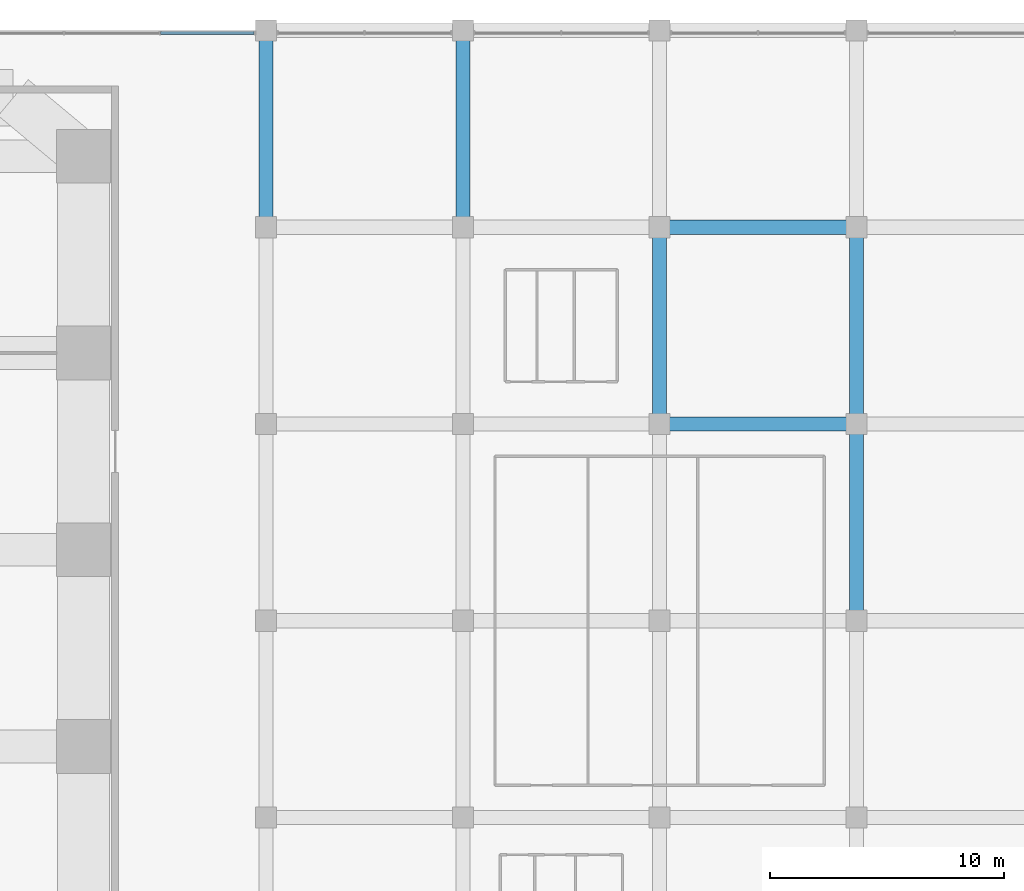
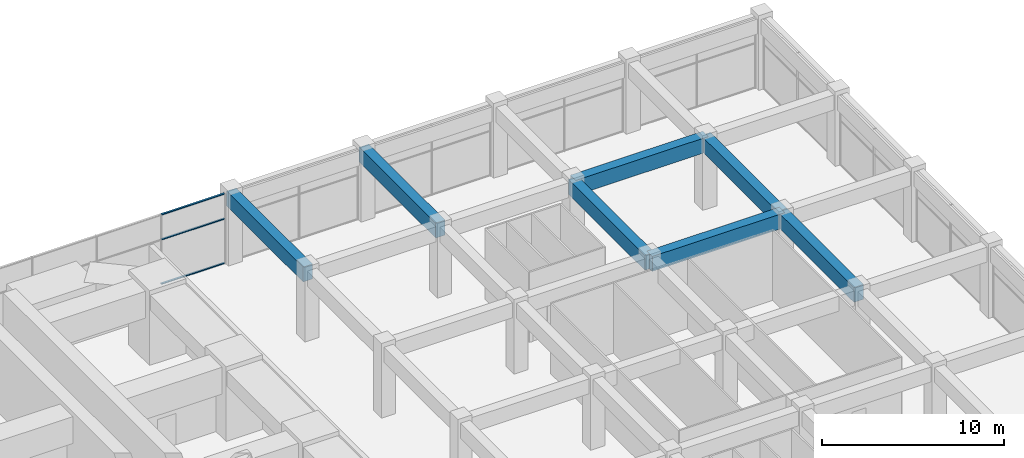
# One storey, part 21 of 36: 7 beams, 3 members, 1 element without a shape of its own.
"""IFC4 building model written with IfcOpenShell, lengths in metres."""

from ifc_helpers import new_model, si_unit, direction, frame, origin, origin_2d, place, context, subcontext, project, spatial, rectangle, extrude, material, material_profile, profile_set, type_object, element, aggregate, save


model = new_model("IFC4")

# Units and contexts
model_context = context("Model", 3, precision=1e-05, world=origin(), true_north=direction((0.0, 1.0)))
body_context = subcontext(model_context, "Body", "Model", "MODEL_VIEW")
ifc_project = project(units=[si_unit("LENGTHUNIT", "METRE"), si_unit("AREAUNIT", "SQUARE_METRE"), si_unit("VOLUMEUNIT", "CUBIC_METRE"), si_unit("PLANEANGLEUNIT", "RADIAN"), si_unit("MASSUNIT", "GRAM", prefix="KILO")], contexts=[model_context])

# Site, building, storey
site_placement = place(None, origin())
site = spatial("IfcSite", under=ifc_project, at=site_placement, CompositionType="ELEMENT")
building_placement = place(site_placement, origin())
building = spatial("IfcBuilding", under=site, at=building_placement, Name="Impinga Residences", CompositionType="ELEMENT")
storey_placement = place(building_placement, frame((0.0, 0.0, 6.0)))
storey = spatial("IfcBuildingStorey", under=building, at=storey_placement, Name="L01", CompositionType="ELEMENT", Elevation=6.0)

# Curtain wall, members
ifc_material_1 = material(Name="Aluminium stick curtain wall", Category="aluminium")
curtain_wall_type = type_object("IfcCurtainWallType", Name="CW1 podium amenity curtain wall", PredefinedType="USERDEFINED", material=ifc_material_1)
curtain_wall_placement = place(storey_placement, origin())
curtain_wall = element("IfcCurtainWall", 1, at=curtain_wall_placement, inside=storey, type_object=curtain_wall_type, Name="Curtain wall CW1 L01", ObjectType="STICK CURTAIN WALL", PredefinedType="USERDEFINED")
ifc_material_2 = material(Name="Aluminium transom", Category="aluminium")
ifc_material_profile_1 = material_profile(ifc_material_2, rectangle(XDim=0.06005859375, YDim=0.1201171875, at=origin_2d()), Name="60x120 transom")
ifc_profile_set_1 = profile_set([ifc_material_profile_1], Name="Aluminium transom")
member_type = type_object("IfcMemberType", Name="CW1-T transom 60x120", PredefinedType="USERDEFINED", material=ifc_profile_set_1)
member_1_placement = place(storey_placement, frame((12.290283203125, 50.300048828125, 0.030029296875), z_axis=(1.0, 0.0, 0.0), x_axis=(0.0, 0.0, 1.0)))
member_1 = element("IfcMember", 2, at=member_1_placement, type_object=member_type, Name="CW1 transom 8.1", ObjectType="TRANSOM", PredefinedType="USERDEFINED", context=body_context, shape_type="SweptSolid", body=[
    extrude(rectangle(XDim=0.06005859375, YDim=0.1201171875, at=origin_2d()), origin(), (0.0, 0.0, 1.0), 3.996826171875),
])
member_2_placement = place(storey_placement, frame((12.290283203125, 50.300048828125, 3.0), z_axis=(1.0, 0.0, 0.0), x_axis=(0.0, 0.0, 1.0)))
member_2 = element("IfcMember", 3, at=member_2_placement, type_object=member_type, Name="CW1 transom 8.2", ObjectType="TRANSOM", PredefinedType="USERDEFINED", context=body_context, shape_type="SweptSolid", body=[
    extrude(rectangle(XDim=0.06005859375, YDim=0.1201171875, at=origin_2d()), origin(), (0.0, 0.0, 1.0), 3.996826171875),
])
member_3_placement = place(storey_placement, frame((12.290283203125, 50.300048828125, 4.669921875), z_axis=(1.0, 0.0, 0.0), x_axis=(0.0, 0.0, 1.0)))
member_3 = element("IfcMember", 4, at=member_3_placement, type_object=member_type, Name="CW1 transom 8.3", ObjectType="TRANSOM", PredefinedType="USERDEFINED", context=body_context, shape_type="SweptSolid", body=[
    extrude(rectangle(XDim=0.06005859375, YDim=0.1201171875, at=origin_2d()), origin(), (0.0, 0.0, 1.0), 3.996826171875),
])
aggregate(curtain_wall, [member_1, member_2, member_3])

# Beams
ifc_material_3 = material(Name="Concrete C60/75", Category="concrete")
ifc_material_profile_2 = material_profile(ifc_material_3, rectangle(XDim=0.60009765625, YDim=1.0, at=origin_2d()), Name="RC 600x1000")
ifc_profile_set_2 = profile_set([ifc_material_profile_2], Name="Concrete C60/75")
beam_type = type_object("IfcBeamType", Name="PB2 600x1000 podium beam", PredefinedType="BEAM", material=ifc_profile_set_2)
for number, where, z_axis, x_axis, name in (
    (5, (33.60009765625, 33.60009765625, 4.199951171875), (1.0, 0.0, 0.0), (0.0, 1.0, 0.0), "Beam PB2 K/11-12 level L02"),
    (6, (33.60009765625, 42.0, 4.199951171875), (1.0, 0.0, 0.0), (0.0, 1.0, 0.0), "Beam PB2 L/11-12 level L02"),
    (7, (16.800048828125, 42.0, 4.199951171875), (0.0, 1.0, 0.0), (-1.0, 0.0, 0.0), "Beam PB2 9/L-M level L02"),
    (8, (25.199951171875, 42.0, 4.199951171875), (0.0, 1.0, 0.0), (-1.0, 0.0, 0.0), "Beam PB2 10/L-M level L02"),
    (9, (33.60009765625, 33.60009765625, 4.199951171875), (0.0, 1.0, 0.0), (-1.0, 0.0, 0.0), "Beam PB2 11/K-L level L02"),
):
    element("IfcBeam", number, at=place(storey_placement, frame(where, z_axis=z_axis, x_axis=x_axis)), inside=storey, type_object=beam_type, Name=name, PredefinedType="BEAM", context=body_context, shape_type="SweptSolid", body=[
        extrude(rectangle(XDim=0.60009765625, YDim=1.0, at=origin_2d()), origin(), (0.0, 0.0, 1.0), 8.39990234375),
    ])
beam_1_placement = place(storey_placement, frame((42.0, 25.199951171875, 4.199951171875), z_axis=(0.0, 1.0, 0.0), x_axis=(-1.0, 0.0, 0.0)))
element("IfcBeam", 10, at=beam_1_placement, inside=storey, type_object=beam_type, Name="Beam PB2 12/J-K level L02", PredefinedType="BEAM", context=body_context, shape_type="SweptSolid", body=[
    extrude(rectangle(XDim=0.60009765625, YDim=1.0, at=origin_2d()), origin(), (0.0, 0.0, 1.0), 8.400146484375),
])
beam_2_placement = place(storey_placement, frame((42.0, 33.60009765625, 4.199951171875), z_axis=(0.0, 1.0, 0.0), x_axis=(-1.0, 0.0, 0.0)))
element("IfcBeam", 11, at=beam_2_placement, inside=storey, type_object=beam_type, Name="Beam PB2 12/K-L level L02", PredefinedType="BEAM", context=body_context, shape_type="SweptSolid", body=[
    extrude(rectangle(XDim=0.60009765625, YDim=1.0, at=origin_2d()), origin(), (0.0, 0.0, 1.0), 8.39990234375),
])

save(model, "model.ifc")
